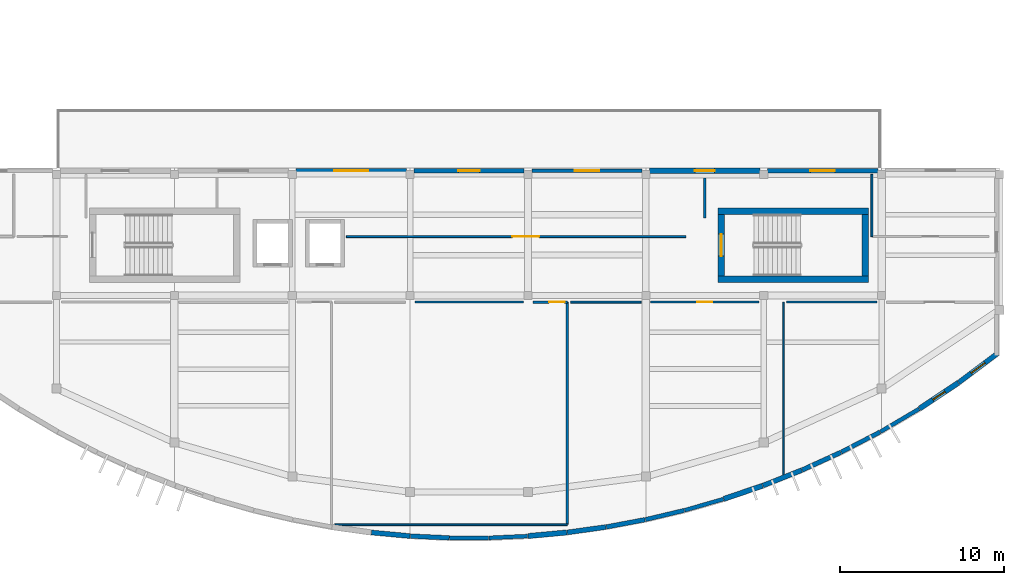
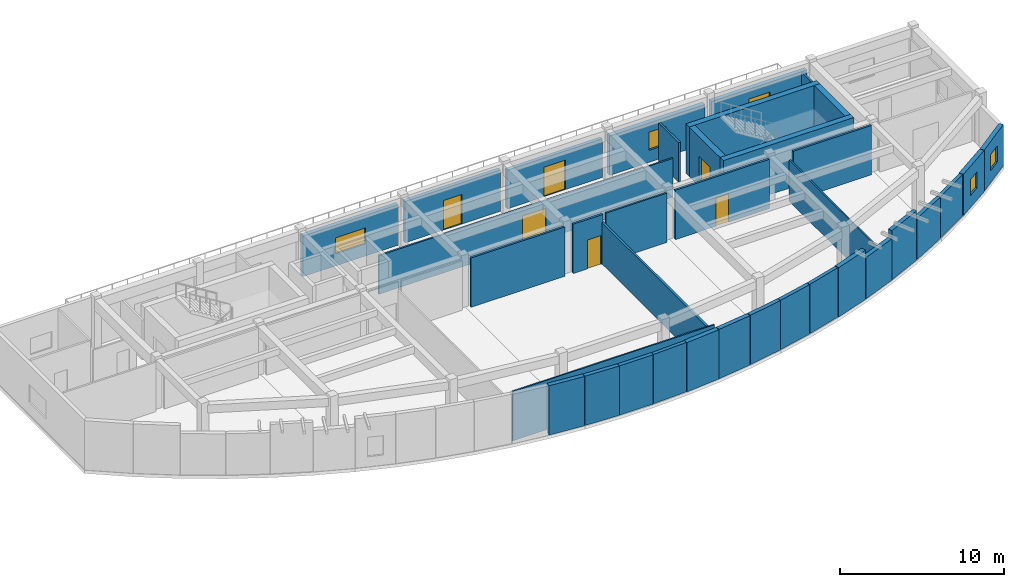
# One storey, part 5 of 11: 36 walls, 6 doors, 5 windows, 11 openings.
"""IFC4 building model written with IfcOpenShell, lengths in metres."""

from ifc_helpers import new_model, si_unit, direction, frame, frame_2d, origin, place, context, subcontext, project, spatial, rectangle, extrude, material, layer, layer_set, type_object, element, fill, save


model = new_model("IFC4")

# Units and contexts
model_context = context("Model", 3, precision=1e-05, world=origin(), true_north=direction((0.0, 1.0)))
body_context = subcontext(model_context, "Body", "Model", "MODEL_VIEW")
ifc_project = project(units=[si_unit("LENGTHUNIT", "METRE"), si_unit("AREAUNIT", "SQUARE_METRE"), si_unit("VOLUMEUNIT", "CUBIC_METRE"), si_unit("PLANEANGLEUNIT", "RADIAN"), si_unit("MASSUNIT", "GRAM", prefix="KILO")], contexts=[model_context])

# Site, building, storey
site_placement = place(None, origin())
site = spatial("IfcSite", under=ifc_project, at=site_placement, CompositionType="ELEMENT")
building_placement = place(site_placement, origin())
building = spatial("IfcBuilding", under=site, at=building_placement, Name="Brisavento Harbour Community Centre", CompositionType="ELEMENT")
storey_placement = place(building_placement, frame((0.0, 0.0, 16.800048828125)))
storey = spatial("IfcBuildingStorey", under=building, at=storey_placement, Name="L04", CompositionType="ELEMENT", Elevation=16.800048828125)

# Walls
ifc_material_1 = material(Name="Concrete C40/50", Category="concrete")
ifc_layer_1 = layer(ifc_material_1, 0.39990234375, Name="Concrete C40/50")
ifc_layer_set_1 = layer_set([ifc_layer_1], Name="Concrete C40/50")
wall_type_1 = type_object("IfcWallType", Name="WL-CORE-400", PredefinedType="SHEAR", material=ifc_layer_set_1)
for number, where, z_axis, x_axis, name in (
    (1, (155.60009765625, 16.0, 0.0), (0.0, 0.0, 1.0), (1.0, 0.0, 0.0), "L04 core C3B shear wall L"),
    (2, (164.800048828125, 20.14990234375, 0.0), (0.0, 0.0, 1.0), (-1.0, 0.0, 0.0), "L04 core C3B shear wall R"),
):
    element("IfcWall", number, at=place(storey_placement, frame(where, z_axis=z_axis, x_axis=x_axis)), inside=storey, type_object=wall_type_1, Name=name, PredefinedType="SHEAR", context=body_context, shape_type="SweptSolid", body=[
        extrude(rectangle(XDim=9.199951171875, YDim=0.39990234375, at=frame_2d((4.60009765625, 0.0))), origin(), (0.0, 0.0, 1.0), 3.679931640625),
    ])
wall_1_placement = place(storey_placement, frame((164.60009765625, 16.199951171875, 0.0), z_axis=(0.0, 0.0, 1.0), x_axis=(0.0, 1.0, 0.0)))
element("IfcWall", 3, at=wall_1_placement, inside=storey, type_object=wall_type_1, Name="L04 core C3B shear wall F", PredefinedType="SHEAR", context=body_context, shape_type="SweptSolid", body=[
    extrude(rectangle(XDim=3.75, YDim=0.39990234375, at=frame_2d((1.875, 0.0))), origin(), (0.0, 0.0, 1.0), 3.679931640625),
])

# Wall, opening, door
wall_2_placement = place(storey_placement, frame((155.800048828125, 19.949951171875, 0.0), z_axis=(0.0, 0.0, 1.0), x_axis=(0.0, -1.0, 0.0)))
wall_2 = element("IfcWall", 4, at=wall_2_placement, inside=storey, type_object=wall_type_1, Name="L04 core C3B shear wall N", PredefinedType="SHEAR", context=body_context, shape_type="SweptSolid", body=[
    extrude(rectangle(XDim=3.75, YDim=0.39990234375, at=frame_2d((1.875, 0.0))), origin(), (0.0, 0.0, 1.0), 3.679931640625),
])
opening_1_placement = place(wall_2_placement, frame((1.199951171875, 0.0, 0.0)))
opening_1 = element("IfcOpeningElement", 5, at=opening_1_placement, cuts=wall_2, Name="Opening SD-02", PredefinedType="OPENING", context=body_context, shape_type="SweptSolid", body=[
    extrude(rectangle(XDim=1.35009765625, YDim=2.199951171875, at=frame_2d((0.675048828125, 1.10009765625))), frame((0.0, 0.2099609375, 0.0), z_axis=(0.0, -1.0, 0.0), x_axis=(1.0, 0.0, 0.0)), (0.0, 0.0, 1.0), 0.419921875),
])
ifc_material_2 = material(Name="Fire-rated steel door assembly", Category="steel")
door_type_1 = type_object("IfcDoorType", Name="DR-STAIR-135x220", OperationType="NOTDEFINED", PredefinedType="DOOR", material=ifc_material_2)
door_1_placement = place(opening_1_placement, origin())
door_1 = element("IfcDoor", 6, at=door_1_placement, inside=storey, type_object=door_type_1, Name="L04 exit stair ST-05 fire door", OperationType="SINGLE_SWING_LEFT", OverallHeight=2.199951171875, OverallWidth=1.35009765625, PredefinedType="DOOR", context=body_context, shape_type="SweptSolid", body=[
    extrude(rectangle(XDim=1.35009765625, YDim=2.199951171875, at=frame_2d((0.675048828125, 1.10009765625))), frame((0.0, 0.02490234375, 0.0), z_axis=(0.0, -1.0, 0.0), x_axis=(1.0, 0.0, 0.0)), (0.0, 0.0, 1.0), 0.050048828125),
])
fill(opening_1, door_1)

# Walls
ifc_material_3 = material(Name="Terracotta masonry unit", Category="masonry")
ifc_layer_2 = layer(ifc_material_3, 0.239990234375, Name="Terracotta masonry unit")
ifc_layer_set_2 = layer_set([ifc_layer_2], Name="Terracotta masonry unit")
wall_type_2 = type_object("IfcWallType", Name="WL-EXT-240", PredefinedType="SOLIDWALL", material=ifc_layer_set_2)
wall_3_placement = place(storey_placement, frame((143.9736328125, 0.3037109375, 0.0), z_axis=(0.0, 0.0, 1.0), x_axis=(-0.998936171223, -0.046114269187, 0.0)))
element("IfcWall", 7, at=wall_3_placement, inside=storey, type_object=wall_type_2, Name="L04 V3 exterior wall 0318", PredefinedType="SOLIDWALL", context=body_context, shape_type="SweptSolid", body=[
    extrude(rectangle(XDim=2.366455078125, YDim=0.239990234375, at=frame_2d((1.18310546875, 0.0))), origin(), (0.0, 0.0, 1.0), 3.679931640625),
])
wall_4_placement = place(storey_placement, frame((155.932861328125, 2.56298828125, 0.0), z_axis=(0.0, 0.0, 1.0), x_axis=(-0.960873855282, -0.276986343049, 0.0)))
element("IfcWall", 8, at=wall_4_placement, inside=storey, type_object=wall_type_2, Name="L04 V3 exterior wall 0323", PredefinedType="SOLIDWALL", context=body_context, shape_type="SweptSolid", body=[
    extrude(rectangle(XDim=2.4619140625, YDim=0.239990234375, at=frame_2d((1.23095703125, 0.0))), origin(), (0.0, 0.0, 1.0), 3.679931640625),
])
wall_5_placement = place(storey_placement, frame((167.89306640625, 8.0751953125, 0.0), z_axis=(0.0, 0.0, 1.0), x_axis=(-0.861415701697, -0.507900569866, 0.0)))
element("IfcWall", 9, at=wall_5_placement, inside=storey, type_object=wall_type_2, Name="L04 V3 exterior wall 0328", PredefinedType="SOLIDWALL", context=body_context, shape_type="SweptSolid", body=[
    extrude(rectangle(XDim=2.75, YDim=0.239990234375, at=frame_2d((1.375, 0.0))), origin(), (0.0, 0.0, 1.0), 3.079833984375),
])

# Wall, opening, door
wall_6_placement = place(storey_placement, frame((144.235107421875, 22.6201171875, 0.0), z_axis=(0.0, 0.0, 1.0), x_axis=(1.0, 0.0, 0.0)))
wall_6 = element("IfcWall", 10, at=wall_6_placement, inside=storey, type_object=wall_type_2, Name="L04 V3 exterior wall 0338", PredefinedType="SOLIDWALL", context=body_context, shape_type="SweptSolid", body=[
    extrude(rectangle(XDim=6.72998046875, YDim=0.239990234375, at=frame_2d((3.364990234375, 0.0))), origin(), (0.0, 0.0, 1.0), 2.8798828125),
])
opening_2_placement = place(wall_6_placement, frame((2.614990234375, 0.0, 0.0)))
opening_2 = element("IfcOpeningElement", 11, at=opening_2_placement, cuts=wall_6, Name="Opening TD-01", PredefinedType="OPENING", context=body_context, shape_type="SweptSolid", body=[
    extrude(rectangle(XDim=1.5, YDim=2.199951171875, at=frame_2d((0.75, 1.10009765625))), frame((0.0, 0.1298828125, 0.0), z_axis=(0.0, -1.0, 0.0), x_axis=(1.0, 0.0, 0.0)), (0.0, 0.0, 1.0), 0.260009765625),
])
ifc_material_4 = material(Name="Marine-anodised aluminium AW-6063-T6", Category="aluminium")
door_type_2 = type_object("IfcDoorType", Name="DR-TER-150x220", OperationType="NOTDEFINED", PredefinedType="DOOR", material=ifc_material_4)
door_2_placement = place(opening_2_placement, origin())
door_2 = element("IfcDoor", 12, at=door_2_placement, inside=storey, type_object=door_type_2, Name="L04 V3 terrace access door 031", OperationType="SINGLE_SWING_RIGHT", OverallHeight=2.199951171875, OverallWidth=1.5, PredefinedType="DOOR", context=body_context, shape_type="SweptSolid", body=[
    extrude(rectangle(XDim=1.5, YDim=2.199951171875, at=frame_2d((0.75, 1.10009765625))), frame((0.0, 0.02490234375, 0.0), z_axis=(0.0, -1.0, 0.0), x_axis=(1.0, 0.0, 0.0)), (0.0, 0.0, 1.0), 0.050048828125),
])
fill(opening_2, door_2)

# Walls
ifc_layer_3 = layer(ifc_material_3, 0.260009765625, Name="Terracotta masonry unit")
ifc_layer_set_3 = layer_set([ifc_layer_3], Name="Terracotta masonry unit")
wall_type_3 = type_object("IfcWallType", Name="WL-EXT-260", PredefinedType="SOLIDWALL", material=ifc_layer_set_3)
wall_7_placement = place(storey_placement, frame((141.58203125, 0.19384765625, 0.0), z_axis=(0.0, 0.0, 1.0), x_axis=(-1.0, 0.0, 0.0)))
element("IfcWall", 13, at=wall_7_placement, inside=storey, type_object=wall_type_3, Name="L04 V3 exterior wall 0317", PredefinedType="SOLIDWALL", context=body_context, shape_type="SweptSolid", body=[
    extrude(rectangle(XDim=2.364013671875, YDim=0.260009765625, at=frame_2d((1.18212890625, 0.0))), origin(), (0.0, 0.0, 1.0), 3.679931640625),
])
wall_8_placement = place(storey_placement, frame((153.541015625, 1.874267578125, 0.0), z_axis=(0.0, 0.0, 1.0), x_axis=(-0.973001991893, -0.230796715253, 0.0)))
element("IfcWall", 14, at=wall_8_placement, inside=storey, type_object=wall_type_3, Name="L04 V3 exterior wall 0322", PredefinedType="SOLIDWALL", context=body_context, shape_type="SweptSolid", body=[
    extrude(rectangle(XDim=2.430908203125, YDim=0.260009765625, at=frame_2d((1.21533203125, 0.0))), origin(), (0.0, 0.0, 1.0), 3.679931640625),
])
wall_9_placement = place(storey_placement, frame((165.5009765625, 6.66552734375, 0.0), z_axis=(0.0, 0.0, 1.0), x_axis=(-0.887067024949, -0.461640653808, 0.0)))
element("IfcWall", 15, at=wall_9_placement, inside=storey, type_object=wall_type_3, Name="L04 V3 exterior wall 0327", PredefinedType="SOLIDWALL", context=body_context, shape_type="SweptSolid", body=[
    extrude(rectangle(XDim=2.669677734375, YDim=0.260009765625, at=frame_2d((1.3349609375, 0.0))), origin(), (0.0, 0.0, 1.0), 3.079833984375),
])

# Wall, opening, door
wall_10_placement = place(storey_placement, frame((137.034912109375, 22.6201171875, 0.0), z_axis=(0.0, 0.0, 1.0), x_axis=(1.0, 0.0, 0.0)))
wall_10 = element("IfcWall", 16, at=wall_10_placement, inside=storey, type_object=wall_type_3, Name="L04 V3 exterior wall 0337", PredefinedType="SOLIDWALL", context=body_context, shape_type="SweptSolid", body=[
    extrude(rectangle(XDim=6.72998046875, YDim=0.260009765625, at=frame_2d((3.364990234375, 0.0))), origin(), (0.0, 0.0, 1.0), 3.079833984375),
])
opening_3_placement = place(wall_10_placement, frame((2.715087890625, 0.0, 0.0)))
opening_3 = element("IfcOpeningElement", 17, at=opening_3_placement, cuts=wall_10, Name="Opening TD-02", PredefinedType="OPENING", context=body_context, shape_type="SweptSolid", body=[
    extrude(rectangle(XDim=1.300048828125, YDim=2.199951171875, at=frame_2d((0.64990234375, 1.10009765625))), frame((0.0, 0.14013671875, 0.0), z_axis=(0.0, -1.0, 0.0), x_axis=(1.0, 0.0, 0.0)), (0.0, 0.0, 1.0), 0.280029296875),
])
door_type_3 = type_object("IfcDoorType", Name="DR-TER-130x220", OperationType="NOTDEFINED", PredefinedType="DOOR", material=ifc_material_4)
door_3_placement = place(opening_3_placement, origin())
door_3 = element("IfcDoor", 18, at=door_3_placement, inside=storey, type_object=door_type_3, Name="L04 V3 terrace access door 030", OperationType="SINGLE_SWING_LEFT", OverallHeight=2.199951171875, OverallWidth=1.300048828125, PredefinedType="DOOR", context=body_context, shape_type="SweptSolid", body=[
    extrude(rectangle(XDim=1.300048828125, YDim=2.199951171875, at=frame_2d((0.64990234375, 1.10009765625))), frame((0.0, 0.02490234375, 0.0), z_axis=(0.0, -1.0, 0.0), x_axis=(1.0, 0.0, 0.0)), (0.0, 0.0, 1.0), 0.050048828125),
])
fill(opening_3, door_3)

# Walls
ifc_material_5 = material(Name="Precast concrete C40/50", Category="concrete")
ifc_layer_4 = layer(ifc_material_5, 0.280029296875, Name="Precast concrete C40/50")
ifc_layer_set_4 = layer_set([ifc_layer_4], Name="Precast concrete C40/50")
wall_type_4 = type_object("IfcWallType", Name="WL-EXT-280", PredefinedType="SOLIDWALL", material=ifc_layer_set_4)
wall_11_placement = place(storey_placement, frame((139.190185546875, 0.194580078125, 0.0), z_axis=(0.0, 0.0, 1.0), x_axis=(-0.998935951808, 0.046119021944, 0.0)))
element("IfcWall", 19, at=wall_11_placement, inside=storey, type_object=wall_type_4, Name="L04 V3 exterior wall 0316", PredefinedType="SOLIDWALL", context=body_context, shape_type="SweptSolid", body=[
    extrude(rectangle(XDim=2.3662109375, YDim=0.280029296875, at=frame_2d((1.18310546875, 0.0))), origin(), (0.0, 0.0, 1.0), 3.679931640625),
])
wall_12_placement = place(storey_placement, frame((151.149169921875, 1.3076171875, 0.0), z_axis=(0.0, 0.0, 1.0), x_axis=(-0.982800895809, -0.184668349202, 0.0)))
element("IfcWall", 20, at=wall_12_placement, inside=storey, type_object=wall_type_4, Name="L04 V3 exterior wall 0321", PredefinedType="SOLIDWALL", context=body_context, shape_type="SweptSolid", body=[
    extrude(rectangle(XDim=2.40625, YDim=0.280029296875, at=frame_2d((1.203125, 0.0))), origin(), (0.0, 0.0, 1.0), 3.679931640625),
])
wall_13_placement = place(storey_placement, frame((163.10888671875, 5.421142578125, 0.0), z_axis=(0.0, 0.0, 1.0), x_axis=(-0.90959706885, -0.415491482873, 0.0)))
element("IfcWall", 21, at=wall_13_placement, inside=storey, type_object=wall_type_4, Name="L04 V3 exterior wall 0326", PredefinedType="SOLIDWALL", context=body_context, shape_type="SweptSolid", body=[
    extrude(rectangle(XDim=2.6025390625, YDim=0.280029296875, at=frame_2d((1.30126953125, 0.0))), origin(), (0.0, 0.0, 1.0), 3.679931640625),
])

# Wall, opening, window
wall_14_placement = place(storey_placement, frame((129.8349609375, 22.6201171875, 0.0), z_axis=(0.0, 0.0, 1.0), x_axis=(1.0, 0.0, 0.0)))
wall_14 = element("IfcWall", 22, at=wall_14_placement, inside=storey, type_object=wall_type_4, Name="L04 V3 exterior wall 0336", PredefinedType="SOLIDWALL", context=body_context, shape_type="SweptSolid", body=[
    extrude(rectangle(XDim=6.72998046875, YDim=0.280029296875, at=frame_2d((3.364990234375, 0.0))), origin(), (0.0, 0.0, 1.0), 3.030029296875),
])
opening_4_placement = place(wall_14_placement, frame((2.31494140625, 0.0, 0.89990234375)))
opening_4 = element("IfcOpeningElement", 23, at=opening_4_placement, cuts=wall_14, Name="Opening W-08", PredefinedType="OPENING", context=body_context, shape_type="SweptSolid", body=[
    extrude(rectangle(XDim=2.10009765625, YDim=1.199951171875, at=frame_2d((1.050048828125, 0.60009765625))), frame((0.0, 0.14990234375, 0.0), z_axis=(0.0, -1.0, 0.0), x_axis=(1.0, 0.0, 0.0)), (0.0, 0.0, 1.0), 0.300048828125),
])
ifc_material_6 = material(Name="Solar-control laminated low-E glass", Category="glass")
window_type_1 = type_object("IfcWindowType", Name="WIN-CAS-08", PartitioningType="SINGLE_PANEL", PredefinedType="WINDOW", material=ifc_material_6)
window_1_placement = place(opening_4_placement, origin())
window_1 = element("IfcWindow", 24, at=window_1_placement, inside=storey, type_object=window_type_1, Name="L04 V3 impact casement window 0188", OverallHeight=1.199951171875, OverallWidth=2.10009765625, PartitioningType="SINGLE_PANEL", PredefinedType="WINDOW", context=body_context, shape_type="SweptSolid", body=[
    extrude(rectangle(XDim=2.10009765625, YDim=1.199951171875, at=frame_2d((1.050048828125, 0.60009765625))), frame((0.0, 0.030029296875, 0.0), z_axis=(0.0, -1.0, 0.0), x_axis=(1.0, 0.0, 0.0)), (0.0, 0.0, 1.0), 0.06005859375),
])
fill(opening_4, window_1)

# Walls
ifc_material_7 = material(Name="Concrete C35/45", Category="concrete")
ifc_layer_5 = layer(ifc_material_7, 0.300048828125, Name="Concrete C35/45")
ifc_layer_set_5 = layer_set([ifc_layer_5], Name="Concrete C35/45")
wall_type_5 = type_object("IfcWallType", Name="WL-EXT-300", PredefinedType="SOLIDWALL", material=ifc_layer_set_5)
wall_15_placement = place(storey_placement, frame((136.798583984375, 0.3056640625, 0.0), z_axis=(0.0, 0.0, 1.0), x_axis=(-0.995727201859, 0.092343594678, 0.0)))
element("IfcWall", 25, at=wall_15_placement, inside=storey, type_object=wall_type_5, Name="L04 V3 exterior wall 0315", PredefinedType="SOLIDWALL", context=body_context, shape_type="SweptSolid", body=[
    extrude(rectangle(XDim=2.374267578125, YDim=0.300048828125, at=frame_2d((1.18701171875, 0.0))), origin(), (0.0, 0.0, 1.0), 3.679931640625),
])
wall_16_placement = place(storey_placement, frame((148.75732421875, 0.858642578125, 0.0), z_axis=(0.0, 0.0, 1.0), x_axis=(-0.990368406077, -0.138457286714, 0.0)))
element("IfcWall", 26, at=wall_16_placement, inside=storey, type_object=wall_type_5, Name="L04 V3 exterior wall 0320", PredefinedType="SOLIDWALL", context=body_context, shape_type="SweptSolid", body=[
    extrude(rectangle(XDim=2.387451171875, YDim=0.300048828125, at=frame_2d((1.19384765625, 0.0))), origin(), (0.0, 0.0, 1.0), 3.679931640625),
])
wall_17_placement = place(storey_placement, frame((160.716796875, 4.329345703125, 0.0), z_axis=(0.0, 0.0, 1.0), x_axis=(-0.929287640724, -0.369356847504, 0.0)))
element("IfcWall", 27, at=wall_17_placement, inside=storey, type_object=wall_type_5, Name="L04 V3 exterior wall 0325", PredefinedType="SOLIDWALL", context=body_context, shape_type="SweptSolid", body=[
    extrude(rectangle(XDim=2.546875, YDim=0.300048828125, at=frame_2d((1.2734375, 0.0))), origin(), (0.0, 0.0, 1.0), 3.079833984375),
])

# Wall, opening, window
wall_18_placement = place(storey_placement, frame((172.677490234375, 11.4609375, 0.0), z_axis=(0.0, 0.0, 1.0), x_axis=(-0.799802311873, -0.600263493744, 0.0)))
wall_18 = element("IfcWall", 28, at=wall_18_placement, inside=storey, type_object=wall_type_5, Name="L04 V3 exterior wall 0330", PredefinedType="SOLIDWALL", context=body_context, shape_type="SweptSolid", body=[
    extrude(rectangle(XDim=2.964599609375, YDim=0.300048828125, at=frame_2d((1.482421875, 0.0))), origin(), (0.0, 0.0, 1.0), 3.079833984375),
])
opening_5_placement = place(wall_18_placement, frame((0.95751953125, 0.0, 0.89990234375)))
opening_5 = element("IfcOpeningElement", 29, at=opening_5_placement, cuts=wall_18, Name="Opening W-02", PredefinedType="OPENING", context=body_context, shape_type="SweptSolid", body=[
    extrude(rectangle(XDim=1.050048828125, YDim=1.199951171875, at=frame_2d((0.52490234375, 0.60009765625))), frame((0.0, 0.16015625, 0.0), z_axis=(0.0, -1.0, 0.0), x_axis=(1.0, 0.0, 0.0)), (0.0, 0.0, 1.0), 0.320068359375),
])
window_type_2 = type_object("IfcWindowType", Name="WIN-CAS-02", PartitioningType="SINGLE_PANEL", PredefinedType="WINDOW", material=ifc_material_6)
window_2_placement = place(opening_5_placement, origin())
window_2 = element("IfcWindow", 30, at=window_2_placement, inside=storey, type_object=window_type_2, Name="L04 V3 impact casement window 0182", OverallHeight=1.199951171875, OverallWidth=1.050048828125, PartitioningType="SINGLE_PANEL", PredefinedType="WINDOW", context=body_context, shape_type="SweptSolid", body=[
    extrude(rectangle(XDim=1.050048828125, YDim=1.199951171875, at=frame_2d((0.52490234375, 0.60009765625))), frame((0.0, 0.030029296875, 0.0), z_axis=(0.0, -1.0, 0.0), x_axis=(1.0, 0.0, 0.0)), (0.0, 0.0, 1.0), 0.06005859375),
])
fill(opening_5, window_2)

wall_19_placement = place(storey_placement, frame((158.635009765625, 22.6201171875, 0.0), z_axis=(0.0, 0.0, 1.0), x_axis=(1.0, 0.0, 0.0)))
wall_19 = element("IfcWall", 31, at=wall_19_placement, inside=storey, type_object=wall_type_5, Name="L04 V3 exterior wall 0340", PredefinedType="SOLIDWALL", context=body_context, shape_type="SweptSolid", body=[
    extrude(rectangle(XDim=6.72998046875, YDim=0.300048828125, at=frame_2d((3.364990234375, 0.0))), origin(), (0.0, 0.0, 1.0), 2.97998046875),
])
opening_6_placement = place(wall_19_placement, frame((2.614990234375, 0.0, 0.89990234375)))
opening_6 = element("IfcOpeningElement", 32, at=opening_6_placement, cuts=wall_19, Name="Opening W-10", PredefinedType="OPENING", context=body_context, shape_type="SweptSolid", body=[
    extrude(rectangle(XDim=1.5, YDim=1.35009765625, at=frame_2d((0.75, 0.675048828125))), frame((0.0, 0.16015625, 0.0), z_axis=(0.0, -1.0, 0.0), x_axis=(1.0, 0.0, 0.0)), (0.0, 0.0, 1.0), 0.320068359375),
])
window_type_3 = type_object("IfcWindowType", Name="WIN-CAS-10", PartitioningType="SINGLE_PANEL", PredefinedType="WINDOW", material=ifc_material_6)
window_3_placement = place(opening_6_placement, origin())
window_3 = element("IfcWindow", 33, at=window_3_placement, inside=storey, type_object=window_type_3, Name="L04 V3 impact casement window 0190", OverallHeight=1.35009765625, OverallWidth=1.5, PartitioningType="SINGLE_PANEL", PredefinedType="WINDOW", context=body_context, shape_type="SweptSolid", body=[
    extrude(rectangle(XDim=1.5, YDim=1.35009765625, at=frame_2d((0.75, 0.675048828125))), frame((0.0, 0.030029296875, 0.0), z_axis=(0.0, -1.0, 0.0), x_axis=(1.0, 0.0, 0.0)), (0.0, 0.0, 1.0), 0.06005859375),
])
fill(opening_6, window_3)

# Walls
ifc_layer_6 = layer(ifc_material_7, 0.320068359375, Name="Concrete C35/45")
ifc_layer_set_6 = layer_set([ifc_layer_6], Name="Concrete C35/45")
wall_type_6 = type_object("IfcWallType", Name="WL-EXT-320", PredefinedType="SOLIDWALL", material=ifc_layer_set_6)
wall_20_placement = place(storey_placement, frame((146.365478515625, 0.52490234375, 0.0), z_axis=(0.0, 0.0, 1.0), x_axis=(-0.995728078612, -0.092334140293, 0.0)))
element("IfcWall", 34, at=wall_20_placement, inside=storey, type_object=wall_type_6, Name="L04 V3 exterior wall 0319", PredefinedType="SOLIDWALL", context=body_context, shape_type="SweptSolid", body=[
    extrude(rectangle(XDim=2.37451171875, YDim=0.320068359375, at=frame_2d((1.187255859375, 0.0))), origin(), (0.0, 0.0, 1.0), 3.679931640625),
])
wall_21_placement = place(storey_placement, frame((158.32470703125, 3.37939453125, 0.0), z_axis=(0.0, 0.0, 1.0), x_axis=(-0.946323632671, -0.323220640196, 0.0)))
element("IfcWall", 35, at=wall_21_placement, inside=storey, type_object=wall_type_6, Name="L04 V3 exterior wall 0324", PredefinedType="SOLIDWALL", context=body_context, shape_type="SweptSolid", body=[
    extrude(rectangle(XDim=2.500244140625, YDim=0.320068359375, at=frame_2d((1.25, 0.0))), origin(), (0.0, 0.0, 1.0), 3.679931640625),
])

# Wall, opening, window
wall_22_placement = place(storey_placement, frame((170.285400390625, 9.66650390625, 0.0), z_axis=(0.0, 0.0, 1.0), x_axis=(-0.83248539698, -0.55404698701, 0.0)))
wall_22 = element("IfcWall", 36, at=wall_22_placement, inside=storey, type_object=wall_type_6, Name="L04 V3 exterior wall 0329", PredefinedType="SOLIDWALL", context=body_context, shape_type="SweptSolid", body=[
    extrude(rectangle(XDim=2.846923828125, YDim=0.320068359375, at=frame_2d((1.42333984375, 0.0))), origin(), (0.0, 0.0, 1.0), 3.079833984375),
])
opening_7_placement = place(wall_22_placement, frame((0.973388671875, 0.0, 0.89990234375)))
opening_7 = element("IfcOpeningElement", 37, at=opening_7_placement, cuts=wall_22, Name="Opening W-01", PredefinedType="OPENING", context=body_context, shape_type="SweptSolid", body=[
    extrude(rectangle(XDim=0.89990234375, YDim=1.199951171875, at=frame_2d((0.449951171875, 0.60009765625))), frame((0.0, 0.169921875, 0.0), z_axis=(0.0, -1.0, 0.0), x_axis=(1.0, 0.0, 0.0)), (0.0, 0.0, 1.0), 0.340087890625),
])
window_type_4 = type_object("IfcWindowType", Name="WIN-CAS-01", PartitioningType="SINGLE_PANEL", PredefinedType="WINDOW", material=ifc_material_6)
window_4_placement = place(opening_7_placement, origin())
window_4 = element("IfcWindow", 38, at=window_4_placement, inside=storey, type_object=window_type_4, Name="L04 V3 impact casement window 0181", OverallHeight=1.199951171875, OverallWidth=0.89990234375, PartitioningType="SINGLE_PANEL", PredefinedType="WINDOW", context=body_context, shape_type="SweptSolid", body=[
    extrude(rectangle(XDim=0.89990234375, YDim=1.199951171875, at=frame_2d((0.449951171875, 0.60009765625))), frame((0.0, 0.030029296875, 0.0), z_axis=(0.0, -1.0, 0.0), x_axis=(1.0, 0.0, 0.0)), (0.0, 0.0, 1.0), 0.06005859375),
])
fill(opening_7, window_4)

wall_23_placement = place(storey_placement, frame((151.43505859375, 22.6201171875, 0.0), z_axis=(0.0, 0.0, 1.0), x_axis=(1.0, 0.0, 0.0)))
wall_23 = element("IfcWall", 39, at=wall_23_placement, inside=storey, type_object=wall_type_6, Name="L04 V3 exterior wall 0339", PredefinedType="SOLIDWALL", context=body_context, shape_type="SweptSolid", body=[
    extrude(rectangle(XDim=6.72998046875, YDim=0.320068359375, at=frame_2d((3.364990234375, 0.0))), origin(), (0.0, 0.0, 1.0), 2.929931640625),
])
opening_8_placement = place(wall_23_placement, frame((2.764892578125, 0.0, 0.89990234375)))
opening_8 = element("IfcOpeningElement", 40, at=opening_8_placement, cuts=wall_23, Name="Opening W-09", PredefinedType="OPENING", context=body_context, shape_type="SweptSolid", body=[
    extrude(rectangle(XDim=1.199951171875, YDim=1.35009765625, at=frame_2d((0.60009765625, 0.675048828125))), frame((0.0, 0.169921875, 0.0), z_axis=(0.0, -1.0, 0.0), x_axis=(1.0, 0.0, 0.0)), (0.0, 0.0, 1.0), 0.340087890625),
])
window_type_5 = type_object("IfcWindowType", Name="WIN-CAS-09", PartitioningType="SINGLE_PANEL", PredefinedType="WINDOW", material=ifc_material_6)
window_5_placement = place(opening_8_placement, origin())
window_5 = element("IfcWindow", 41, at=window_5_placement, inside=storey, type_object=window_type_5, Name="L04 V3 impact casement window 0189", OverallHeight=1.35009765625, OverallWidth=1.199951171875, PartitioningType="SINGLE_PANEL", PredefinedType="WINDOW", context=body_context, shape_type="SweptSolid", body=[
    extrude(rectangle(XDim=1.199951171875, YDim=1.35009765625, at=frame_2d((0.60009765625, 0.675048828125))), frame((0.0, 0.030029296875, 0.0), z_axis=(0.0, -1.0, 0.0), x_axis=(1.0, 0.0, 0.0)), (0.0, 0.0, 1.0), 0.06005859375),
])
fill(opening_8, window_5)

# Walls
ifc_material_8 = material(Name="Lightweight stud partition", Category="other")
ifc_layer_7 = layer(ifc_material_8, 0.10009765625, Name="Lightweight stud partition")
ifc_layer_set_7 = layer_set([ifc_layer_7], Name="Lightweight stud partition")
wall_type_7 = type_object("IfcWallType", Name="WL-PRT-100", PredefinedType="PARTITIONING", material=ifc_layer_set_7)
wall_24_placement = place(storey_placement, frame((132.199951171875, 1.0, 0.0), z_axis=(0.0, 0.0, 1.0), x_axis=(1.0, 0.0, 0.0)))
element("IfcWall", 42, at=wall_24_placement, inside=storey, type_object=wall_type_7, Name="L04 Language Classroom 401 partition 0287", PredefinedType="PARTITIONING", context=body_context, shape_type="SweptSolid", body=[
    extrude(rectangle(XDim=14.199951171875, YDim=0.10009765625, at=frame_2d((7.10009765625, 0.0))), origin(), (0.0, 0.0, 1.0), 3.679931640625),
])
wall_25_placement = place(storey_placement, frame((159.60009765625, 3.84228515625, 0.0), z_axis=(0.0, 0.0, 1.0), x_axis=(0.0, 1.0, 0.0)))
element("IfcWall", 43, at=wall_25_placement, inside=storey, type_object=wall_type_7, Name="L04 Language Classroom 402 partition 0291", PredefinedType="PARTITIONING", context=body_context, shape_type="SweptSolid", body=[
    extrude(rectangle(XDim=10.7578125, YDim=0.10009765625, at=frame_2d((5.37890625, 0.0))), origin(), (0.0, 0.0, 1.0), 3.079833984375),
])
ifc_material_9 = material(Name="Gypsum metal-stud partition", Category="other")
ifc_layer_8 = layer(ifc_material_9, 0.1201171875, Name="Gypsum metal-stud partition")
ifc_layer_set_8 = layer_set([ifc_layer_8], Name="Gypsum metal-stud partition")
wall_type_8 = type_object("IfcWallType", Name="WL-PRT-120", PredefinedType="PARTITIONING", material=ifc_layer_set_8)
wall_26_placement = place(storey_placement, frame((150.909912109375, 14.60009765625, 0.0), z_axis=(0.0, 0.0, 1.0), x_axis=(-1.0, 0.0, 0.0)))
element("IfcWall", 44, at=wall_26_placement, inside=storey, type_object=wall_type_8, Name="L04 Language Classroom 402 partition 0290", PredefinedType="PARTITIONING", context=body_context, shape_type="SweptSolid", body=[
    extrude(rectangle(XDim=4.309814453125, YDim=0.1201171875, at=frame_2d((2.15478515625, 0.0))), origin(), (0.0, 0.0, 1.0), 3.679931640625),
])

# Wall, opening, door
wall_27_placement = place(storey_placement, frame((132.909912109375, 18.60009765625, 0.0), z_axis=(0.0, 0.0, 1.0), x_axis=(1.0, 0.0, 0.0)))
wall_27 = element("IfcWall", 45, at=wall_27_placement, inside=storey, type_object=wall_type_8, Name="L04 Terrace Reading Lounge L04 partition 0294", PredefinedType="PARTITIONING", context=body_context, shape_type="SweptSolid", body=[
    extrude(rectangle(XDim=20.739990234375, YDim=0.1201171875, at=frame_2d((10.3701171875, 0.0))), origin(), (0.0, 0.0, 1.0), 2.8798828125),
])
opening_9_placement = place(wall_27_placement, frame((10.1201171875, 0.0, 0.0)))
opening_9 = element("IfcOpeningElement", 46, at=opening_9_placement, cuts=wall_27, Name="Opening ID-02", PredefinedType="OPENING", context=body_context, shape_type="SweptSolid", body=[
    extrude(rectangle(XDim=1.64990234375, YDim=2.300048828125, at=frame_2d((0.824951171875, 1.14990234375))), frame((0.0, 0.070068359375, 0.0), z_axis=(0.0, -1.0, 0.0), x_axis=(1.0, 0.0, 0.0)), (0.0, 0.0, 1.0), 0.14013671875),
])
ifc_material_10 = material(Name="Solid-core tropical timber door", Category="wood")
door_type_4 = type_object("IfcDoorType", Name="DR-INT-165x230", OperationType="NOTDEFINED", PredefinedType="DOOR", material=ifc_material_10)
door_4_placement = place(opening_9_placement, origin())
door_4 = element("IfcDoor", 47, at=door_4_placement, inside=storey, type_object=door_type_4, Name="L04 Terrace Reading Lounge L04 door 0112", OperationType="SINGLE_SWING_LEFT", OverallHeight=2.300048828125, OverallWidth=1.64990234375, PredefinedType="DOOR", context=body_context, shape_type="SweptSolid", body=[
    extrude(rectangle(XDim=1.64990234375, YDim=2.300048828125, at=frame_2d((0.824951171875, 1.14990234375))), frame((0.0, 0.02490234375, 0.0), z_axis=(0.0, -1.0, 0.0), x_axis=(1.0, 0.0, 0.0)), (0.0, 0.0, 1.0), 0.050048828125),
])
fill(opening_9, door_4)

# Walls
wall_28_placement = place(storey_placement, frame((165.0, 22.39990234375, 0.0), z_axis=(0.0, 0.0, 1.0), x_axis=(0.0, -1.0, 0.0)))
element("IfcWall", 48, at=wall_28_placement, inside=storey, type_object=wall_type_8, Name="L04 Accessible WC L04 partition 0302", PredefinedType="PARTITIONING", context=body_context, shape_type="SweptSolid", body=[
    extrude(rectangle(XDim=3.7998046875, YDim=0.1201171875, at=frame_2d((1.89990234375, 0.0))), origin(), (0.0, 0.0, 1.0), 2.97998046875),
])
ifc_layer_9 = layer(ifc_material_9, 0.139892578125, Name="Gypsum metal-stud partition")
ifc_layer_set_9 = layer_set([ifc_layer_9], Name="Gypsum metal-stud partition")
wall_type_9 = type_object("IfcWallType", Name="WL-PRT-140", PredefinedType="PARTITIONING", material=ifc_layer_set_9)
wall_29_placement = place(storey_placement, frame((143.7099609375, 14.60009765625, 0.0), z_axis=(0.0, 0.0, 1.0), x_axis=(-1.0, 0.0, 0.0)))
element("IfcWall", 49, at=wall_29_placement, inside=storey, type_object=wall_type_9, Name="L04 Language Classroom 401 partition 0285", PredefinedType="PARTITIONING", context=body_context, shape_type="SweptSolid", body=[
    extrude(rectangle(XDim=6.619873046875, YDim=0.139892578125, at=frame_2d((3.31005859375, 0.0))), origin(), (0.0, 0.0, 1.0), 3.679931640625),
])

# Wall, opening, door
wall_30_placement = place(storey_placement, frame((158.110107421875, 14.60009765625, 0.0), z_axis=(0.0, 0.0, 1.0), x_axis=(-1.0, 0.0, 0.0)))
wall_30 = element("IfcWall", 50, at=wall_30_placement, inside=storey, type_object=wall_type_9, Name="L04 Language Classroom 402 partition 0289", PredefinedType="PARTITIONING", context=body_context, shape_type="SweptSolid", body=[
    extrude(rectangle(XDim=6.6201171875, YDim=0.139892578125, at=frame_2d((3.31005859375, 0.0))), origin(), (0.0, 0.0, 1.0), 3.679931640625),
])
opening_10_placement = place(wall_30_placement, frame((2.860107421875, 0.0, 0.0)))
opening_10 = element("IfcOpeningElement", 51, at=opening_10_placement, cuts=wall_30, Name="Opening ID-11", PredefinedType="OPENING", context=body_context, shape_type="SweptSolid", body=[
    extrude(rectangle(XDim=0.89990234375, YDim=2.10009765625, at=frame_2d((0.449951171875, 1.050048828125))), frame((0.0, 0.080078125, 0.0), z_axis=(0.0, -1.0, 0.0), x_axis=(1.0, 0.0, 0.0)), (0.0, 0.0, 1.0), 0.159912109375),
])
door_type_5 = type_object("IfcDoorType", Name="DR-INT-090x210", OperationType="NOTDEFINED", PredefinedType="DOOR", material=ifc_material_10)
door_5_placement = place(opening_10_placement, origin())
door_5 = element("IfcDoor", 52, at=door_5_placement, inside=storey, type_object=door_type_5, Name="L04 Language Classroom 402 door 0110", OperationType="SINGLE_SWING_LEFT", OverallHeight=2.10009765625, OverallWidth=0.89990234375, PredefinedType="DOOR", context=body_context, shape_type="SweptSolid", body=[
    extrude(rectangle(XDim=0.89990234375, YDim=2.10009765625, at=frame_2d((0.449951171875, 1.050048828125))), frame((0.0, 0.02490234375, 0.0), z_axis=(0.0, -1.0, 0.0), x_axis=(1.0, 0.0, 0.0)), (0.0, 0.0, 1.0), 0.050048828125),
])
fill(opening_10, door_5)

# Wall
wall_31_placement = place(storey_placement, frame((165.31005859375, 14.60009765625, 0.0), z_axis=(0.0, 0.0, 1.0), x_axis=(-1.0, 0.0, 0.0)))
element("IfcWall", 53, at=wall_31_placement, inside=storey, type_object=wall_type_9, Name="L04 Artisans Ceramics Workshop Studio partition 0293", PredefinedType="PARTITIONING", context=body_context, shape_type="SweptSolid", body=[
    extrude(rectangle(XDim=5.510009765625, YDim=0.139892578125, at=frame_2d((2.7548828125, 0.0))), origin(), (0.0, 0.0, 1.0), 3.679931640625),
])

# Wall, opening, door
ifc_material_11 = material(Name="Moisture-resistant stud partition", Category="other")
ifc_layer_10 = layer(ifc_material_11, 0.14990234375, Name="Moisture-resistant stud partition")
ifc_layer_set_10 = layer_set([ifc_layer_10], Name="Moisture-resistant stud partition")
wall_type_10 = type_object("IfcWallType", Name="WL-PRT-150", PredefinedType="PARTITIONING", material=ifc_layer_set_10)
wall_32_placement = place(storey_placement, frame((146.39990234375, 14.60009765625, 0.0), z_axis=(0.0, 0.0, 1.0), x_axis=(-1.0, 0.0, 0.0)))
wall_32 = element("IfcWall", 54, at=wall_32_placement, inside=storey, type_object=wall_type_10, Name="L04 Language Classroom 401 partition 0284", PredefinedType="PARTITIONING", context=body_context, shape_type="SweptSolid", body=[
    extrude(rectangle(XDim=2.10986328125, YDim=0.14990234375, at=frame_2d((1.054931640625, 0.0))), origin(), (0.0, 0.0, 1.0), 3.679931640625),
])
opening_11_placement = place(wall_32_placement, frame((0.159912109375, 0.0, 0.0)))
opening_11 = element("IfcOpeningElement", 55, at=opening_11_placement, cuts=wall_32, Name="Opening ID-10", PredefinedType="OPENING", context=body_context, shape_type="SweptSolid", body=[
    extrude(rectangle(XDim=0.949951171875, YDim=2.14990234375, at=frame_2d((0.47509765625, 1.074951171875))), frame((0.0, 0.0849609375, 0.0), z_axis=(0.0, -1.0, 0.0), x_axis=(1.0, 0.0, 0.0)), (0.0, 0.0, 1.0), 0.169921875),
])
door_type_6 = type_object("IfcDoorType", Name="DR-INT-095x215", OperationType="NOTDEFINED", PredefinedType="DOOR", material=ifc_material_10)
door_6_placement = place(opening_11_placement, origin())
door_6 = element("IfcDoor", 56, at=door_6_placement, inside=storey, type_object=door_type_6, Name="L04 Language Classroom 401 door 0109", OperationType="SINGLE_SWING_RIGHT", OverallHeight=2.14990234375, OverallWidth=0.949951171875, PredefinedType="DOOR", context=body_context, shape_type="SweptSolid", body=[
    extrude(rectangle(XDim=0.949951171875, YDim=2.14990234375, at=frame_2d((0.47509765625, 1.074951171875))), frame((0.0, 0.02490234375, 0.0), z_axis=(0.0, -1.0, 0.0), x_axis=(1.0, 0.0, 0.0)), (0.0, 0.0, 1.0), 0.050048828125),
])
fill(opening_11, door_6)

# Walls
wall_33_placement = place(storey_placement, frame((146.39990234375, 1.0, 0.0), z_axis=(0.0, 0.0, 1.0), x_axis=(0.0, 1.0, 0.0)))
element("IfcWall", 57, at=wall_33_placement, inside=storey, type_object=wall_type_10, Name="L04 Language Classroom 401 partition 0288", PredefinedType="PARTITIONING", context=body_context, shape_type="SweptSolid", body=[
    extrude(rectangle(XDim=13.60009765625, YDim=0.14990234375, at=frame_2d((6.800048828125, 0.0))), origin(), (0.0, 0.0, 1.0), 3.079833984375),
])
wall_34_placement = place(storey_placement, frame((154.800048828125, 19.75, 0.0), z_axis=(0.0, 0.0, 1.0), x_axis=(0.0, 1.0, 0.0)))
element("IfcWall", 58, at=wall_34_placement, inside=storey, type_object=wall_type_10, Name="L04 Terrace Reading Lounge L04 partition 0296", PredefinedType="PARTITIONING", context=body_context, shape_type="SweptSolid", body=[
    extrude(rectangle(XDim=2.419921875, YDim=0.14990234375, at=frame_2d((1.2099609375, 0.0))), origin(), (0.0, 0.0, 1.0), 2.929931640625),
])

save(model, "model.ifc")
